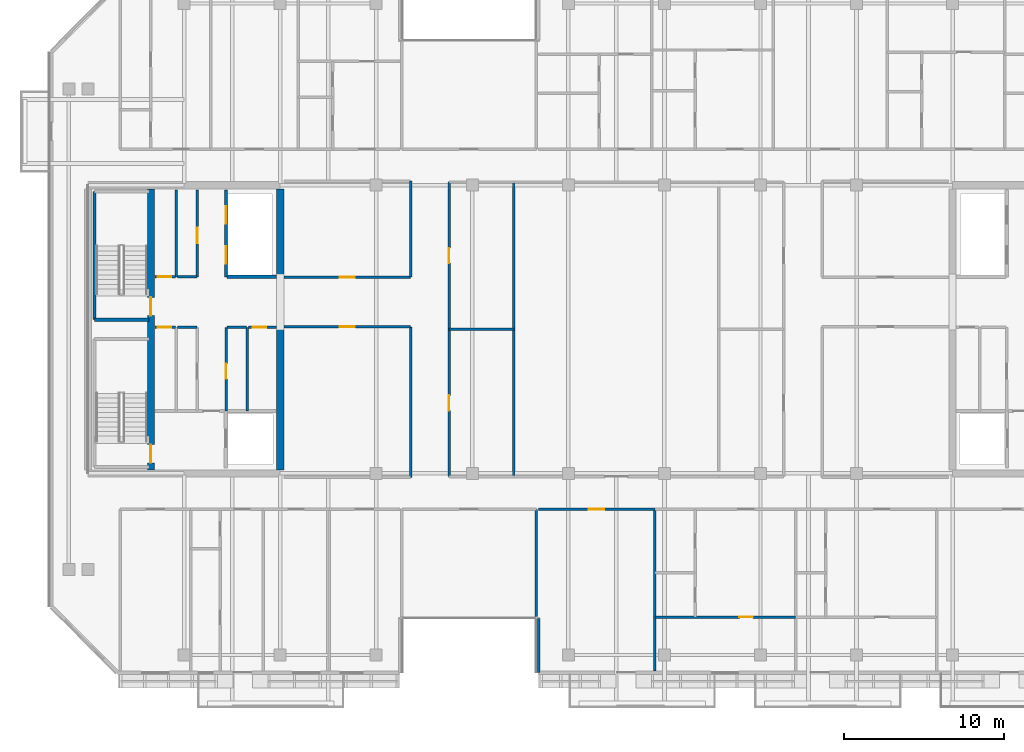
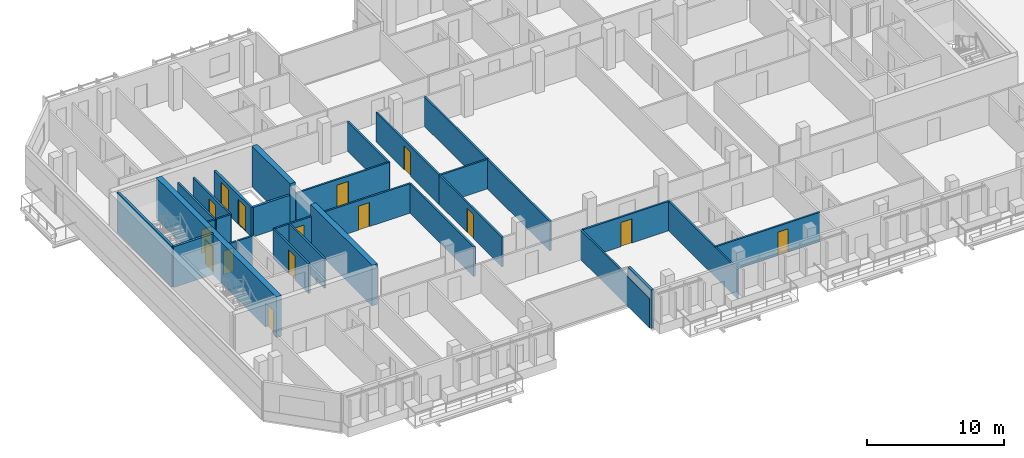
# One storey, part 11 of 23: 30 walls, 15 doors, 15 openings.
"""IFC4 building model written with IfcOpenShell, lengths in metres."""

from ifc_helpers import new_model, si_unit, direction, frame, frame_2d, origin, place, context, subcontext, project, spatial, rectangle, extrude, material, layer, layer_set, type_object, element, fill, save


model = new_model("IFC4")

# Units and contexts
model_context = context("Model", 3, precision=1e-05, world=origin(), true_north=direction((0.0, 1.0)))
body_context = subcontext(model_context, "Body", "Model", "MODEL_VIEW")
ifc_project = project(units=[si_unit("LENGTHUNIT", "METRE"), si_unit("AREAUNIT", "SQUARE_METRE"), si_unit("VOLUMEUNIT", "CUBIC_METRE"), si_unit("PLANEANGLEUNIT", "RADIAN"), si_unit("MASSUNIT", "GRAM", prefix="KILO")], contexts=[model_context])

# Site, building, storey
site_placement = place(None, origin())
site = spatial("IfcSite", under=ifc_project, at=site_placement, CompositionType="ELEMENT")
building_placement = place(site_placement, origin())
building = spatial("IfcBuilding", under=site, at=building_placement, Name="Tanjung Sevakor Pilgrim Tower", CompositionType="ELEMENT")
storey_placement = place(building_placement, frame((0.0, 0.0, 215.489990234375)))
storey = spatial("IfcBuildingStorey", under=building, at=storey_placement, Name="L60", CompositionType="ELEMENT", Elevation=215.489990234375)

# Walls
ifc_material_1 = material(Name="Concrete C60/75", Category="concrete")
ifc_layer_1 = layer(ifc_material_1, 0.449951171875)
ifc_layer_set_1 = layer_set([ifc_layer_1], Name="WALL-CW-450")
wall_type_1 = type_object("IfcWallType", Name="WALL-CW-450", PredefinedType="SHEAR", material=ifc_layer_set_1)
wall_1_placement = place(storey_placement, frame((36.0, 24.824951171875, 0.0), z_axis=(0.0, 0.0, 1.0), x_axis=(0.0, 1.0, 0.0)))
element("IfcWall", 1, at=wall_1_placement, inside=storey, type_object=wall_type_1, Name="L60 W Core Inner Shear Wall South", PredefinedType="SHEAR", context=body_context, shape_type="SweptSolid", body=[
    extrude(rectangle(XDim=8.97509765625, YDim=0.449951171875, at=frame_2d((4.487548828125, 0.0))), origin(), (0.0, 0.0, 1.0), 3.630126953125),
])
wall_2_placement = place(storey_placement, frame((36.0, 36.800048828125, 0.0), z_axis=(0.0, 0.0, 1.0), x_axis=(0.0, 1.0, 0.0)))
element("IfcWall", 2, at=wall_2_placement, inside=storey, type_object=wall_type_1, Name="L60 W Core Inner Shear Wall North", PredefinedType="SHEAR", context=body_context, shape_type="SweptSolid", body=[
    extrude(rectangle(XDim=5.574951171875, YDim=0.449951171875, at=frame_2d((2.78759765625, 0.0))), origin(), (0.0, 0.0, 1.0), 3.630126953125),
])

# Wall, openings, doors
wall_3_placement = place(storey_placement, frame((27.925048828125, 24.824951171875, 0.0), z_axis=(0.0, 0.0, 1.0), x_axis=(0.0, 1.0, 0.0)))
wall_3 = element("IfcWall", 3, at=wall_3_placement, inside=storey, type_object=wall_type_1, Name="L60 W Core Stair Spine Wall", PredefinedType="SHEAR", context=body_context, shape_type="SweptSolid", body=[
    extrude(rectangle(XDim=17.550048828125, YDim=0.449951171875, at=frame_2d((8.77490234375, 0.0))), origin(), (0.0, 0.0, 1.0), 3.630126953125),
])
opening_1_placement = place(wall_3_placement, frame((0.425048828125, 0.0, 0.0)))
opening_1 = element("IfcOpeningElement", 4, at=opening_1_placement, cuts=wall_3, Name="Opening ID-ST1", PredefinedType="OPENING", context=body_context, shape_type="SweptSolid", body=[
    extrude(rectangle(XDim=1.14990234375, YDim=2.14990234375, at=frame_2d((0.574951171875, 1.074951171875))), frame((0.0, 0.23486328125, 0.0), z_axis=(0.0, -1.0, 0.0), x_axis=(1.0, 0.0, 0.0)), (0.0, 0.0, 1.0), 0.469970703125),
])
opening_2_placement = place(wall_3_placement, frame((9.625, 0.0, 0.0)))
opening_2 = element("IfcOpeningElement", 5, at=opening_2_placement, cuts=wall_3, Name="Opening ID-ST1", PredefinedType="OPENING", context=body_context, shape_type="SweptSolid", body=[
    extrude(rectangle(XDim=1.14990234375, YDim=2.14990234375, at=frame_2d((0.574951171875, 1.074951171875))), frame((0.0, 0.23486328125, 0.0), z_axis=(0.0, -1.0, 0.0), x_axis=(1.0, 0.0, 0.0)), (0.0, 0.0, 1.0), 0.469970703125),
])
ifc_material_2 = material(Name="Fire-Rated Steel S355J2", Category="steel")
door_type_1 = type_object("IfcDoorType", Name="DT-FIRE-1150", OperationType="NOTDEFINED", PredefinedType="DOOR", material=ifc_material_2)
door_1_placement = place(opening_1_placement, origin())
door_1 = element("IfcDoor", 6, at=door_1_placement, inside=storey, type_object=door_type_1, Name="L60 TS-W1 Stair Fire Door", OperationType="SINGLE_SWING_RIGHT", OverallHeight=2.14990234375, OverallWidth=1.14990234375, PredefinedType="DOOR", context=body_context, shape_type="SweptSolid", body=[
    extrude(rectangle(XDim=1.14990234375, YDim=2.14990234375, at=frame_2d((0.574951171875, 1.074951171875))), frame((0.0, 0.02490234375, 0.0), z_axis=(0.0, -1.0, 0.0), x_axis=(1.0, 0.0, 0.0)), (0.0, 0.0, 1.0), 0.050048828125),
])
fill(opening_1, door_1)
door_2_placement = place(opening_2_placement, origin())
door_2 = element("IfcDoor", 7, at=door_2_placement, inside=storey, type_object=door_type_1, Name="L60 TS-W2 Stair Fire Door", OperationType="SINGLE_SWING_LEFT", OverallHeight=2.14990234375, OverallWidth=1.14990234375, PredefinedType="DOOR", context=body_context, shape_type="SweptSolid", body=[
    extrude(rectangle(XDim=1.14990234375, YDim=2.14990234375, at=frame_2d((0.574951171875, 1.074951171875))), frame((0.0, 0.02490234375, 0.0), z_axis=(0.0, -1.0, 0.0), x_axis=(1.0, 0.0, 0.0)), (0.0, 0.0, 1.0), 0.050048828125),
])
fill(opening_2, door_2)

# Wall, opening, door
ifc_material_3 = material(Name="Concrete C40/50", Category="concrete")
ifc_layer_2 = layer(ifc_material_3, 0.14990234375)
ifc_layer_set_2 = layer_set([ifc_layer_2], Name="WT-COMP-150")
wall_type_2 = type_object("IfcWallType", Name="WT-COMP-150", PredefinedType="SOLIDWALL", material=ifc_layer_set_2)
wall_4_placement = place(storey_placement, frame((28.169921875, 33.719970703125, 0.0), z_axis=(0.0, 0.0, 1.0), x_axis=(1.0, 0.0, 0.0)))
wall_4 = element("IfcWall", 8, at=wall_4_placement, inside=storey, type_object=wall_type_2, Name="L60 Partition IW-L60-004", PredefinedType="SOLIDWALL", context=body_context, shape_type="SweptSolid", body=[
    extrude(rectangle(XDim=1.280029296875, YDim=0.14990234375, at=frame_2d((0.64013671875, 0.0))), origin(), (0.0, 0.0, 1.0), 2.6298828125),
])
opening_3_placement = place(wall_4_placement, frame((0.179931640625, 0.0, 0.0)))
opening_3 = element("IfcOpeningElement", 9, at=opening_3_placement, cuts=wall_4, Name="Opening ID-FD3", PredefinedType="OPENING", context=body_context, shape_type="SweptSolid", body=[
    extrude(rectangle(XDim=0.85009765625, YDim=2.10009765625, at=frame_2d((0.425048828125, 1.050048828125))), frame((0.0, 0.0849609375, 0.0), z_axis=(0.0, -1.0, 0.0), x_axis=(1.0, 0.0, 0.0)), (0.0, 0.0, 1.0), 0.169921875),
])
ifc_material_4 = material(Name="Fire-Rated Timber", Category="wood")
door_type_2 = type_object("IfcDoorType", Name="DT-FIRE-850", OperationType="NOTDEFINED", PredefinedType="DOOR", material=ifc_material_4)
door_3_placement = place(opening_3_placement, origin())
door_3 = element("IfcDoor", 10, at=door_3_placement, inside=storey, type_object=door_type_2, Name="L60 Cleaner Store Door", OperationType="SINGLE_SWING_RIGHT", OverallHeight=2.10009765625, OverallWidth=0.85009765625, PredefinedType="DOOR", context=body_context, shape_type="SweptSolid", body=[
    extrude(rectangle(XDim=0.85009765625, YDim=2.10009765625, at=frame_2d((0.425048828125, 1.050048828125))), frame((0.0, 0.02490234375, 0.0), z_axis=(0.0, -1.0, 0.0), x_axis=(1.0, 0.0, 0.0)), (0.0, 0.0, 1.0), 0.050048828125),
])
fill(opening_3, door_3)

# Walls
wall_5_placement = place(storey_placement, frame((29.580078125, 33.719970703125, 0.0), z_axis=(0.0, 0.0, 1.0), x_axis=(1.0, 0.0, 0.0)))
element("IfcWall", 11, at=wall_5_placement, inside=storey, type_object=wall_type_2, Name="L60 Partition IW-L60-005", PredefinedType="SOLIDWALL", context=body_context, shape_type="SweptSolid", body=[
    extrude(rectangle(XDim=1.219970703125, YDim=0.14990234375, at=frame_2d((0.60986328125, 0.0))), origin(), (0.0, 0.0, 1.0), 2.6298828125),
])
wall_6_placement = place(storey_placement, frame((33.949951171875, 28.5, 0.0), z_axis=(0.0, 0.0, 1.0), x_axis=(0.0, 1.0, 0.0)))
element("IfcWall", 12, at=wall_6_placement, inside=storey, type_object=wall_type_2, Name="L60 Partition IW-L60-007", PredefinedType="SOLIDWALL", context=body_context, shape_type="SweptSolid", body=[
    extrude(rectangle(XDim=5.219970703125, YDim=0.14990234375, at=frame_2d((2.60986328125, 0.0))), origin(), (0.0, 0.0, 1.0), 2.6298828125),
])
wall_7_placement = place(storey_placement, frame((32.679931640625, 33.719970703125, 0.0), z_axis=(0.0, 0.0, 1.0), x_axis=(1.0, 0.0, 0.0)))
element("IfcWall", 13, at=wall_7_placement, inside=storey, type_object=wall_type_2, Name="L60 Partition IW-L60-008", PredefinedType="SOLIDWALL", context=body_context, shape_type="SweptSolid", body=[
    extrude(rectangle(XDim=1.2099609375, YDim=0.14990234375, at=frame_2d((0.60498046875, 0.0))), origin(), (0.0, 0.0, 1.0), 2.6298828125),
])

# Wall, opening, door
wall_8_placement = place(storey_placement, frame((34.010009765625, 33.719970703125, 0.0), z_axis=(0.0, 0.0, 1.0), x_axis=(1.0, 0.0, 0.0)))
wall_8 = element("IfcWall", 14, at=wall_8_placement, inside=storey, type_object=wall_type_2, Name="L60 Partition IW-L60-009", PredefinedType="SOLIDWALL", context=body_context, shape_type="SweptSolid", body=[
    extrude(rectangle(XDim=1.744873046875, YDim=0.14990234375, at=frame_2d((0.87255859375, 0.0))), origin(), (0.0, 0.0, 1.0), 2.6298828125),
])
opening_4_placement = place(wall_8_placement, frame((0.280029296875, 0.0, 0.0)))
opening_4 = element("IfcOpeningElement", 15, at=opening_4_placement, cuts=wall_8, Name="Opening ID-FD3", PredefinedType="OPENING", context=body_context, shape_type="SweptSolid", body=[
    extrude(rectangle(XDim=0.85009765625, YDim=2.10009765625, at=frame_2d((0.425048828125, 1.050048828125))), frame((0.0, 0.0849609375, 0.0), z_axis=(0.0, -1.0, 0.0), x_axis=(1.0, 0.0, 0.0)), (0.0, 0.0, 1.0), 0.169921875),
])
door_4_placement = place(opening_4_placement, origin())
door_4 = element("IfcDoor", 16, at=door_4_placement, inside=storey, type_object=door_type_2, Name="L60 Service Store Door", OperationType="SINGLE_SWING_RIGHT", OverallHeight=2.10009765625, OverallWidth=0.85009765625, PredefinedType="DOOR", context=body_context, shape_type="SweptSolid", body=[
    extrude(rectangle(XDim=0.85009765625, YDim=2.10009765625, at=frame_2d((0.425048828125, 1.050048828125))), frame((0.0, 0.02490234375, 0.0), z_axis=(0.0, -1.0, 0.0), x_axis=(1.0, 0.0, 0.0)), (0.0, 0.0, 1.0), 0.050048828125),
])
fill(opening_4, door_4)

wall_9_placement = place(storey_placement, frame((32.6201171875, 28.5, 0.0), z_axis=(0.0, 0.0, 1.0), x_axis=(0.0, 1.0, 0.0)))
wall_9 = element("IfcWall", 17, at=wall_9_placement, inside=storey, type_object=wall_type_2, Name="L60 Partition IW-L60-010", PredefinedType="SOLIDWALL", context=body_context, shape_type="SweptSolid", body=[
    extrude(rectangle(XDim=5.219970703125, YDim=0.14990234375, at=frame_2d((2.60986328125, 0.0))), origin(), (0.0, 0.0, 1.0), 2.6298828125),
])
opening_5_placement = place(wall_9_placement, frame((2.0, 0.0, 0.0)))
opening_5 = element("IfcOpeningElement", 18, at=opening_5_placement, cuts=wall_9, Name="Opening ID-FD2", PredefinedType="OPENING", context=body_context, shape_type="SweptSolid", body=[
    extrude(rectangle(XDim=0.949951171875, YDim=2.14990234375, at=frame_2d((0.47509765625, 1.074951171875))), frame((0.0, 0.0849609375, 0.0), z_axis=(0.0, -1.0, 0.0), x_axis=(1.0, 0.0, 0.0)), (0.0, 0.0, 1.0), 0.169921875),
])
ifc_material_5 = material(Name="Fire-Rated Timber", Category="wood")
door_type_3 = type_object("IfcDoorType", Name="DT-FIRE-950", OperationType="NOTDEFINED", PredefinedType="DOOR", material=ifc_material_5)
door_5_placement = place(opening_5_placement, origin())
door_5 = element("IfcDoor", 19, at=door_5_placement, inside=storey, type_object=door_type_3, Name="L60 Accessible WC Door", OperationType="SINGLE_SWING_LEFT", OverallHeight=2.14990234375, OverallWidth=0.949951171875, PredefinedType="DOOR", context=body_context, shape_type="SweptSolid", body=[
    extrude(rectangle(XDim=0.949951171875, YDim=2.14990234375, at=frame_2d((0.47509765625, 1.074951171875))), frame((0.0, 0.02490234375, 0.0), z_axis=(0.0, -1.0, 0.0), x_axis=(1.0, 0.0, 0.0)), (0.0, 0.0, 1.0), 0.050048828125),
])
fill(opening_5, door_5)

# Wall
wall_10_placement = place(storey_placement, frame((29.52001953125, 36.8798828125, 0.0), z_axis=(0.0, 0.0, 1.0), x_axis=(0.0, 1.0, 0.0)))
element("IfcWall", 20, at=wall_10_placement, inside=storey, type_object=wall_type_2, Name="L60 Partition IW-L60-011", PredefinedType="SOLIDWALL", context=body_context, shape_type="SweptSolid", body=[
    extrude(rectangle(XDim=5.420166015625, YDim=0.14990234375, at=frame_2d((2.7099609375, 0.0))), origin(), (0.0, 0.0, 1.0), 2.6298828125),
])

# Wall, opening, door
wall_11_placement = place(storey_placement, frame((28.169921875, 36.8798828125, 0.0), z_axis=(0.0, 0.0, 1.0), x_axis=(1.0, 0.0, 0.0)))
wall_11 = element("IfcWall", 21, at=wall_11_placement, inside=storey, type_object=wall_type_2, Name="L60 Partition IW-L60-012", PredefinedType="SOLIDWALL", context=body_context, shape_type="SweptSolid", body=[
    extrude(rectangle(XDim=1.280029296875, YDim=0.14990234375, at=frame_2d((0.64013671875, 0.0))), origin(), (0.0, 0.0, 1.0), 2.6298828125),
])
opening_6_placement = place(wall_11_placement, frame((0.179931640625, 0.0, 0.0)))
opening_6 = element("IfcOpeningElement", 22, at=opening_6_placement, cuts=wall_11, Name="Opening ID-FD3", PredefinedType="OPENING", context=body_context, shape_type="SweptSolid", body=[
    extrude(rectangle(XDim=0.85009765625, YDim=2.10009765625, at=frame_2d((0.425048828125, 1.050048828125))), frame((0.0, 0.0849609375, 0.0), z_axis=(0.0, -1.0, 0.0), x_axis=(1.0, 0.0, 0.0)), (0.0, 0.0, 1.0), 0.169921875),
])
door_6_placement = place(opening_6_placement, origin())
door_6 = element("IfcDoor", 23, at=door_6_placement, inside=storey, type_object=door_type_2, Name="L60 Service Store Door", OperationType="SINGLE_SWING_RIGHT", OverallHeight=2.10009765625, OverallWidth=0.85009765625, PredefinedType="DOOR", context=body_context, shape_type="SweptSolid", body=[
    extrude(rectangle(XDim=0.85009765625, YDim=2.10009765625, at=frame_2d((0.425048828125, 1.050048828125))), frame((0.0, 0.02490234375, 0.0), z_axis=(0.0, -1.0, 0.0), x_axis=(1.0, 0.0, 0.0)), (0.0, 0.0, 1.0), 0.050048828125),
])
fill(opening_6, door_6)

# Wall
wall_12_placement = place(storey_placement, frame((29.580078125, 36.8798828125, 0.0), z_axis=(0.0, 0.0, 1.0), x_axis=(1.0, 0.0, 0.0)))
element("IfcWall", 24, at=wall_12_placement, inside=storey, type_object=wall_type_2, Name="L60 Partition IW-L60-013", PredefinedType="SOLIDWALL", context=body_context, shape_type="SweptSolid", body=[
    extrude(rectangle(XDim=1.219970703125, YDim=0.14990234375, at=frame_2d((0.60986328125, 0.0))), origin(), (0.0, 0.0, 1.0), 2.6298828125),
])

# Wall, opening, door
wall_13_placement = place(storey_placement, frame((30.820068359375, 36.8798828125, 0.0), z_axis=(0.0, 0.0, 1.0), x_axis=(0.0, 1.0, 0.0)))
wall_13 = element("IfcWall", 25, at=wall_13_placement, inside=storey, type_object=wall_type_2, Name="L60 Partition IW-L60-014", PredefinedType="SOLIDWALL", context=body_context, shape_type="SweptSolid", body=[
    extrude(rectangle(XDim=5.420166015625, YDim=0.14990234375, at=frame_2d((2.7099609375, 0.0))), origin(), (0.0, 0.0, 1.0), 2.6298828125),
])
opening_7_placement = place(wall_13_placement, frame((2.10009765625, 0.0, 0.0)))
opening_7 = element("IfcOpeningElement", 26, at=opening_7_placement, cuts=wall_13, Name="Opening ID-FD2", PredefinedType="OPENING", context=body_context, shape_type="SweptSolid", body=[
    extrude(rectangle(XDim=0.949951171875, YDim=2.14990234375, at=frame_2d((0.47509765625, 1.074951171875))), frame((0.0, 0.0849609375, 0.0), z_axis=(0.0, -1.0, 0.0), x_axis=(1.0, 0.0, 0.0)), (0.0, 0.0, 1.0), 0.169921875),
])
door_7_placement = place(opening_7_placement, origin())
door_7 = element("IfcDoor", 27, at=door_7_placement, inside=storey, type_object=door_type_3, Name="L60 Core Reading Room Door", OperationType="SINGLE_SWING_LEFT", OverallHeight=2.14990234375, OverallWidth=0.949951171875, PredefinedType="DOOR", context=body_context, shape_type="SweptSolid", body=[
    extrude(rectangle(XDim=0.949951171875, YDim=2.14990234375, at=frame_2d((0.47509765625, 1.074951171875))), frame((0.0, 0.02490234375, 0.0), z_axis=(0.0, -1.0, 0.0), x_axis=(1.0, 0.0, 0.0)), (0.0, 0.0, 1.0), 0.050048828125),
])
fill(opening_7, door_7)

wall_14_placement = place(storey_placement, frame((36.2451171875, 33.75, 0.0), z_axis=(0.0, 0.0, 1.0), x_axis=(1.0, 0.0, 0.0)))
wall_14 = element("IfcWall", 28, at=wall_14_placement, inside=storey, type_object=wall_type_2, Name="L60 Partition IW-L60-034", PredefinedType="SOLIDWALL", context=body_context, shape_type="SweptSolid", body=[
    extrude(rectangle(XDim=7.90478515625, YDim=0.14990234375, at=frame_2d((3.952392578125, 0.0))), origin(), (0.0, 0.0, 1.0), 2.6298828125),
])
opening_8_placement = place(wall_14_placement, frame((3.4775390625, 0.0, 0.0)))
opening_8 = element("IfcOpeningElement", 29, at=opening_8_placement, cuts=wall_14, Name="Opening ID-RM1", PredefinedType="OPENING", context=body_context, shape_type="SweptSolid", body=[
    extrude(rectangle(XDim=0.949951171875, YDim=2.14990234375, at=frame_2d((0.47509765625, 1.074951171875))), frame((0.0, 0.0849609375, 0.0), z_axis=(0.0, -1.0, 0.0), x_axis=(1.0, 0.0, 0.0)), (0.0, 0.0, 1.0), 0.169921875),
])
ifc_material_6 = material(Name="Hardwood Timber", Category="wood")
door_type_4 = type_object("IfcDoorType", Name="DT-INT-950", OperationType="NOTDEFINED", PredefinedType="DOOR", material=ifc_material_6)
door_8_placement = place(opening_8_placement, origin())
door_8 = element("IfcDoor", 30, at=door_8_placement, inside=storey, type_object=door_type_4, Name="L60 West Inboard South Door", OperationType="SINGLE_SWING_RIGHT", OverallHeight=2.14990234375, OverallWidth=0.949951171875, PredefinedType="DOOR", context=body_context, shape_type="SweptSolid", body=[
    extrude(rectangle(XDim=0.949951171875, YDim=2.14990234375, at=frame_2d((0.47509765625, 1.074951171875))), frame((0.0, 0.02490234375, 0.0), z_axis=(0.0, -1.0, 0.0), x_axis=(1.0, 0.0, 0.0)), (0.0, 0.0, 1.0), 0.050048828125),
])
fill(opening_8, door_8)

# Wall
wall_15_placement = place(storey_placement, frame((44.14990234375, 24.35009765625, 0.0), z_axis=(0.0, 0.0, 1.0), x_axis=(0.0, 1.0, 0.0)))
element("IfcWall", 31, at=wall_15_placement, inside=storey, type_object=wall_type_2, Name="L60 Partition IW-L60-035", PredefinedType="SOLIDWALL", context=body_context, shape_type="SweptSolid", body=[
    extrude(rectangle(XDim=9.39990234375, YDim=0.14990234375, at=frame_2d((4.699951171875, 0.0))), origin(), (0.0, 0.0, 1.0), 2.6298828125),
])

# Wall, opening, door
wall_16_placement = place(storey_placement, frame((36.2451171875, 36.85009765625, 0.0), z_axis=(0.0, 0.0, 1.0), x_axis=(1.0, 0.0, 0.0)))
wall_16 = element("IfcWall", 32, at=wall_16_placement, inside=storey, type_object=wall_type_2, Name="L60 Partition IW-L60-036", PredefinedType="SOLIDWALL", context=body_context, shape_type="SweptSolid", body=[
    extrude(rectangle(XDim=7.90478515625, YDim=0.14990234375, at=frame_2d((3.952392578125, 0.0))), origin(), (0.0, 0.0, 1.0), 2.6298828125),
])
opening_9_placement = place(wall_16_placement, frame((3.4775390625, 0.0, 0.0)))
opening_9 = element("IfcOpeningElement", 33, at=opening_9_placement, cuts=wall_16, Name="Opening ID-RM1", PredefinedType="OPENING", context=body_context, shape_type="SweptSolid", body=[
    extrude(rectangle(XDim=0.949951171875, YDim=2.14990234375, at=frame_2d((0.47509765625, 1.074951171875))), frame((0.0, 0.0849609375, 0.0), z_axis=(0.0, -1.0, 0.0), x_axis=(1.0, 0.0, 0.0)), (0.0, 0.0, 1.0), 0.169921875),
])
door_9_placement = place(opening_9_placement, origin())
door_9 = element("IfcDoor", 34, at=door_9_placement, inside=storey, type_object=door_type_4, Name="L60 West Inboard North Door", OperationType="SINGLE_SWING_LEFT", OverallHeight=2.14990234375, OverallWidth=0.949951171875, PredefinedType="DOOR", context=body_context, shape_type="SweptSolid", body=[
    extrude(rectangle(XDim=0.949951171875, YDim=2.14990234375, at=frame_2d((0.47509765625, 1.074951171875))), frame((0.0, 0.02490234375, 0.0), z_axis=(0.0, -1.0, 0.0), x_axis=(1.0, 0.0, 0.0)), (0.0, 0.0, 1.0), 0.050048828125),
])
fill(opening_9, door_9)

# Walls
wall_17_placement = place(storey_placement, frame((44.14990234375, 36.85009765625, 0.0), z_axis=(0.0, 0.0, 1.0), x_axis=(0.0, 1.0, 0.0)))
element("IfcWall", 35, at=wall_17_placement, inside=storey, type_object=wall_type_2, Name="L60 Partition IW-L60-038", PredefinedType="SOLIDWALL", context=body_context, shape_type="SweptSolid", body=[
    extrude(rectangle(XDim=6.0, YDim=0.14990234375, at=frame_2d((3.0, 0.0))), origin(), (0.0, 0.0, 1.0), 2.6298828125),
])
wall_18_placement = place(storey_placement, frame((46.550048828125, 33.60009765625, 0.0), z_axis=(0.0, 0.0, 1.0), x_axis=(1.0, 0.0, 0.0)))
element("IfcWall", 36, at=wall_18_placement, inside=storey, type_object=wall_type_2, Name="L60 Partition IW-L60-046", PredefinedType="SOLIDWALL", context=body_context, shape_type="SweptSolid", body=[
    extrude(rectangle(XDim=4.050048828125, YDim=0.14990234375, at=frame_2d((2.02490234375, 0.0))), origin(), (0.0, 0.0, 1.0), 2.6298828125),
])

# Wall, opening, door
wall_19_placement = place(storey_placement, frame((46.550048828125, 24.39990234375, 0.0), z_axis=(0.0, 0.0, 1.0), x_axis=(0.0, 1.0, 0.0)))
wall_19 = element("IfcWall", 37, at=wall_19_placement, inside=storey, type_object=wall_type_2, Name="L60 Partition IW-L60-047", PredefinedType="SOLIDWALL", context=body_context, shape_type="SweptSolid", body=[
    extrude(rectangle(XDim=9.2001953125, YDim=0.14990234375, at=frame_2d((4.60009765625, 0.0))), origin(), (0.0, 0.0, 1.0), 2.6298828125),
])
opening_10_placement = place(wall_19_placement, frame((4.125, 0.0, 0.0)))
opening_10 = element("IfcOpeningElement", 38, at=opening_10_placement, cuts=wall_19, Name="Opening ID-RM1", PredefinedType="OPENING", context=body_context, shape_type="SweptSolid", body=[
    extrude(rectangle(XDim=0.949951171875, YDim=2.14990234375, at=frame_2d((0.47509765625, 1.074951171875))), frame((0.0, 0.0849609375, 0.0), z_axis=(0.0, -1.0, 0.0), x_axis=(1.0, 0.0, 0.0)), (0.0, 0.0, 1.0), 0.169921875),
])
door_10_placement = place(opening_10_placement, origin())
door_10 = element("IfcDoor", 39, at=door_10_placement, inside=storey, type_object=door_type_4, Name="L60 Male Ablution Door", OperationType="SINGLE_SWING_RIGHT", OverallHeight=2.14990234375, OverallWidth=0.949951171875, PredefinedType="DOOR", context=body_context, shape_type="SweptSolid", body=[
    extrude(rectangle(XDim=0.949951171875, YDim=2.14990234375, at=frame_2d((0.47509765625, 1.074951171875))), frame((0.0, 0.02490234375, 0.0), z_axis=(0.0, -1.0, 0.0), x_axis=(1.0, 0.0, 0.0)), (0.0, 0.0, 1.0), 0.050048828125),
])
fill(opening_10, door_10)

wall_20_placement = place(storey_placement, frame((46.550048828125, 33.60009765625, 0.0), z_axis=(0.0, 0.0, 1.0), x_axis=(0.0, 1.0, 0.0)))
wall_20 = element("IfcWall", 40, at=wall_20_placement, inside=storey, type_object=wall_type_2, Name="L60 Partition IW-L60-049", PredefinedType="SOLIDWALL", context=body_context, shape_type="SweptSolid", body=[
    extrude(rectangle(XDim=9.199951171875, YDim=0.14990234375, at=frame_2d((4.60009765625, 0.0))), origin(), (0.0, 0.0, 1.0), 2.6298828125),
])
opening_11_placement = place(wall_20_placement, frame((4.125, 0.0, 0.0)))
opening_11 = element("IfcOpeningElement", 41, at=opening_11_placement, cuts=wall_20, Name="Opening ID-RM1", PredefinedType="OPENING", context=body_context, shape_type="SweptSolid", body=[
    extrude(rectangle(XDim=0.949951171875, YDim=2.14990234375, at=frame_2d((0.47509765625, 1.074951171875))), frame((0.0, 0.0849609375, 0.0), z_axis=(0.0, -1.0, 0.0), x_axis=(1.0, 0.0, 0.0)), (0.0, 0.0, 1.0), 0.169921875),
])
door_11_placement = place(opening_11_placement, origin())
door_11 = element("IfcDoor", 42, at=door_11_placement, inside=storey, type_object=door_type_4, Name="L60 Male Washroom Door", OperationType="SINGLE_SWING_LEFT", OverallHeight=2.14990234375, OverallWidth=0.949951171875, PredefinedType="DOOR", context=body_context, shape_type="SweptSolid", body=[
    extrude(rectangle(XDim=0.949951171875, YDim=2.14990234375, at=frame_2d((0.47509765625, 1.074951171875))), frame((0.0, 0.02490234375, 0.0), z_axis=(0.0, -1.0, 0.0), x_axis=(1.0, 0.0, 0.0)), (0.0, 0.0, 1.0), 0.050048828125),
])
fill(opening_11, door_11)

# Walls
wall_21_placement = place(storey_placement, frame((50.60009765625, 24.39990234375, 0.0), z_axis=(0.0, 0.0, 1.0), x_axis=(0.0, 1.0, 0.0)))
element("IfcWall", 43, at=wall_21_placement, inside=storey, type_object=wall_type_2, Name="L60 Partition IW-L60-052", PredefinedType="SOLIDWALL", context=body_context, shape_type="SweptSolid", body=[
    extrude(rectangle(XDim=18.400146484375, YDim=0.14990234375, at=frame_2d((9.2001953125, 0.0))), origin(), (0.0, 0.0, 1.0), 2.6298828125),
])
for number, where, z_axis, x_axis, name in (
    (44, (52.0, 12.27001953125, 0.0), (0.0, 0.0, 1.0), (0.0, 1.0, 0.0), "L60 Partition IW-L60-061"),
    (45, (59.401123046875, 12.27001953125, 0.0), (0.0, 0.0, 1.0), (0.0, 1.0, 0.0), "L60 Partition IW-L60-076"),
):
    element("IfcWall", number, at=place(storey_placement, frame(where, z_axis=z_axis, x_axis=x_axis)), inside=storey, type_object=wall_type_2, Name=name, PredefinedType="SOLIDWALL", context=body_context, shape_type="SweptSolid", body=[
        extrude(rectangle(XDim=10.080078125, YDim=0.14990234375, at=frame_2d((5.0400390625, 0.0))), origin(), (0.0, 0.0, 1.0), 2.6298828125),
    ])

# Wall, opening, door
wall_22_placement = place(storey_placement, frame((52.1201171875, 22.35009765625, 0.0), z_axis=(0.0, 0.0, 1.0), x_axis=(1.0, 0.0, 0.0)))
wall_22 = element("IfcWall", 46, at=wall_22_placement, inside=storey, type_object=wall_type_2, Name="L60 Partition IW-L60-077", PredefinedType="SOLIDWALL", context=body_context, shape_type="SweptSolid", body=[
    extrude(rectangle(XDim=7.281005859375, YDim=0.14990234375, at=frame_2d((3.640625, 0.0))), origin(), (0.0, 0.0, 1.0), 2.6298828125),
])
opening_12_placement = place(wall_22_placement, frame((3.16552734375, 0.0, 0.0)))
opening_12 = element("IfcOpeningElement", 47, at=opening_12_placement, cuts=wall_22, Name="Opening ID-FD2", PredefinedType="OPENING", context=body_context, shape_type="SweptSolid", body=[
    extrude(rectangle(XDim=0.949951171875, YDim=2.14990234375, at=frame_2d((0.47509765625, 1.074951171875))), frame((0.0, 0.0849609375, 0.0), z_axis=(0.0, -1.0, 0.0), x_axis=(1.0, 0.0, 0.0)), (0.0, 0.0, 1.0), 0.169921875),
])
door_12_placement = place(opening_12_placement, origin())
door_12 = element("IfcDoor", 48, at=door_12_placement, inside=storey, type_object=door_type_3, Name="Housekeeping Pantry Door", OperationType="SINGLE_SWING_LEFT", OverallHeight=2.14990234375, OverallWidth=0.949951171875, PredefinedType="DOOR", context=body_context, shape_type="SweptSolid", body=[
    extrude(rectangle(XDim=0.949951171875, YDim=2.14990234375, at=frame_2d((0.47509765625, 1.074951171875))), frame((0.0, 0.02490234375, 0.0), z_axis=(0.0, -1.0, 0.0), x_axis=(1.0, 0.0, 0.0)), (0.0, 0.0, 1.0), 0.050048828125),
])
fill(opening_12, door_12)

# Walls
ifc_material_7 = material(Name="Precast concrete C45/55", Category="concrete")
ifc_layer_3 = layer(ifc_material_7, 0.219970703125)
ifc_layer_set_3 = layer_set([ifc_layer_3], Name="WT-EW-STN4")
wall_type_3 = type_object("IfcWallType", Name="WT-EW-STN4", PredefinedType="SOLIDWALL", material=ifc_layer_set_3)
wall_23_placement = place(storey_placement, frame((52.110107421875, 15.56005859375, 0.0), z_axis=(0.0, 0.0, 1.0), x_axis=(0.0, -1.0, 0.0)))
element("IfcWall", 49, at=wall_23_placement, inside=storey, type_object=wall_type_3, Name="L60 MAIN Exterior Wall 4", PredefinedType="SOLIDWALL", context=body_context, shape_type="SweptSolid", body=[
    extrude(rectangle(XDim=3.400146484375, YDim=0.219970703125, at=frame_2d((1.7001953125, 0.0))), origin(), (0.0, 0.0, 1.0), 3.409912109375),
])
ifc_material_8 = material(Name="Concrete C40/50", Category="concrete")
ifc_layer_4 = layer(ifc_material_8, 0.199951171875)
ifc_layer_set_4 = layer_set([ifc_layer_4], Name="WT-FIRE-200")
wall_type_4 = type_object("IfcWallType", Name="WT-FIRE-200", PredefinedType="SOLIDWALL", material=ifc_layer_set_4)
wall_24_placement = place(storey_placement, frame((24.39990234375, 34.199951171875, 0.0), z_axis=(0.0, 0.0, 1.0), x_axis=(1.0, 0.0, 0.0)))
element("IfcWall", 50, at=wall_24_placement, inside=storey, type_object=wall_type_4, Name="L60 TS-W2 Shaft Wall 1", PredefinedType="SOLIDWALL", context=body_context, shape_type="SweptSolid", body=[
    extrude(rectangle(XDim=3.400146484375, YDim=0.199951171875, at=frame_2d((1.7001953125, 0.0))), origin(), (0.0, 0.0, 1.0), 3.630126953125),
])
wall_25_placement = place(storey_placement, frame((24.39990234375, 42.199951171875, 0.0), z_axis=(0.0, 0.0, 1.0), x_axis=(0.0, -1.0, 0.0)))
element("IfcWall", 51, at=wall_25_placement, inside=storey, type_object=wall_type_4, Name="L60 TS-W2 Shaft Wall 3", PredefinedType="SOLIDWALL", context=body_context, shape_type="SweptSolid", body=[
    extrude(rectangle(XDim=8.0, YDim=0.199951171875, at=frame_2d((4.0, 0.0))), origin(), (0.0, 0.0, 1.0), 3.630126953125),
])
ifc_material_9 = material(Name="Concrete C40/50", Category="concrete")
ifc_layer_5 = layer(ifc_material_9, 0.199951171875)
ifc_layer_set_5 = layer_set([ifc_layer_5], Name="WT-FPRT-200")
wall_type_5 = type_object("IfcWallType", Name="WT-FPRT-200", PredefinedType="SOLIDWALL", material=ifc_layer_set_5)
wall_26_placement = place(storey_placement, frame((32.679931640625, 36.8798828125, 0.0), z_axis=(0.0, 0.0, 1.0), x_axis=(1.0, 0.0, 0.0)))
element("IfcWall", 52, at=wall_26_placement, inside=storey, type_object=wall_type_5, Name="L60 Partition IW-L60-015", PredefinedType="SOLIDWALL", context=body_context, shape_type="SweptSolid", body=[
    extrude(rectangle(XDim=3.074951171875, YDim=0.199951171875, at=frame_2d((1.53759765625, 0.0))), origin(), (0.0, 0.0, 1.0), 2.6298828125),
])

# Wall, openings, doors
wall_27_placement = place(storey_placement, frame((32.6201171875, 36.8798828125, 0.0), z_axis=(0.0, 0.0, 1.0), x_axis=(0.0, 1.0, 0.0)))
wall_27 = element("IfcWall", 53, at=wall_27_placement, inside=storey, type_object=wall_type_5, Name="L60 Partition IW-L60-016", PredefinedType="SOLIDWALL", context=body_context, shape_type="SweptSolid", body=[
    extrude(rectangle(XDim=5.420166015625, YDim=0.199951171875, at=frame_2d((2.7099609375, 0.0))), origin(), (0.0, 0.0, 1.0), 2.6298828125),
])
opening_13_placement = place(wall_27_placement, frame((0.800048828125, 0.0, 0.0)))
opening_13 = element("IfcOpeningElement", 54, at=opening_13_placement, cuts=wall_27, Name="Opening LD-1100", PredefinedType="OPENING", context=body_context, shape_type="SweptSolid", body=[
    extrude(rectangle(XDim=1.10009765625, YDim=2.199951171875, at=frame_2d((0.550048828125, 1.10009765625))), frame((0.0, 0.10986328125, 0.0), z_axis=(0.0, -1.0, 0.0), x_axis=(1.0, 0.0, 0.0)), (0.0, 0.0, 1.0), 0.219970703125),
])
opening_14_placement = place(wall_27_placement, frame((3.300048828125, 0.0, 0.0)))
opening_14 = element("IfcOpeningElement", 55, at=opening_14_placement, cuts=wall_27, Name="Opening LD-1100", PredefinedType="OPENING", context=body_context, shape_type="SweptSolid", body=[
    extrude(rectangle(XDim=1.10009765625, YDim=2.199951171875, at=frame_2d((0.550048828125, 1.10009765625))), frame((0.0, 0.10986328125, 0.0), z_axis=(0.0, -1.0, 0.0), x_axis=(1.0, 0.0, 0.0)), (0.0, 0.0, 1.0), 0.219970703125),
])
ifc_material_10 = material(Name="Brushed Stainless Steel S355J2", Category="steel")
door_type_5 = type_object("IfcDoorType", Name="DT-LIFT-1100", OperationType="SLIDING_TO_LEFT", PredefinedType="DOOR", material=ifc_material_10)
door_13_placement = place(opening_13_placement, origin())
door_13 = element("IfcDoor", 56, at=door_13_placement, inside=storey, type_object=door_type_5, Name="LD-PLH1-W", OperationType="SLIDING_TO_LEFT", OverallHeight=2.199951171875, OverallWidth=1.10009765625, PredefinedType="DOOR", context=body_context, shape_type="SweptSolid", body=[
    extrude(rectangle(XDim=1.10009765625, YDim=2.199951171875, at=frame_2d((0.550048828125, 1.10009765625))), frame((0.0, 0.02490234375, 0.0), z_axis=(0.0, -1.0, 0.0), x_axis=(1.0, 0.0, 0.0)), (0.0, 0.0, 1.0), 0.050048828125),
])
fill(opening_13, door_13)
door_14_placement = place(opening_14_placement, origin())
door_14 = element("IfcDoor", 57, at=door_14_placement, inside=storey, type_object=door_type_5, Name="LD-PLH2-W", OperationType="SLIDING_TO_RIGHT", OverallHeight=2.199951171875, OverallWidth=1.10009765625, PredefinedType="DOOR", context=body_context, shape_type="SweptSolid", body=[
    extrude(rectangle(XDim=1.10009765625, YDim=2.199951171875, at=frame_2d((0.550048828125, 1.10009765625))), frame((0.0, 0.02490234375, 0.0), z_axis=(0.0, -1.0, 0.0), x_axis=(1.0, 0.0, 0.0)), (0.0, 0.0, 1.0), 0.050048828125),
])
fill(opening_14, door_14)

# Wall, opening, door
ifc_material_11 = material(Name="Gypsum Board Partition", Category="gypsum board")
ifc_layer_6 = layer(ifc_material_11, 0.14990234375)
ifc_layer_set_6 = layer_set([ifc_layer_6], Name="WT-PART-150")
wall_type_6 = type_object("IfcWallType", Name="WT-PART-150", PredefinedType="PARTITIONING", material=ifc_layer_set_6)
wall_28_placement = place(storey_placement, frame((59.401123046875, 15.623046875, 0.0), z_axis=(0.0, 0.0, 1.0), x_axis=(1.0, 0.0, 0.0)))
wall_28 = element("IfcWall", 58, at=wall_28_placement, inside=storey, type_object=wall_type_6, Name="L60 Partition IW-L60-081", PredefinedType="PARTITIONING", context=body_context, shape_type="SweptSolid", body=[
    extrude(rectangle(XDim=8.798095703125, YDim=0.14990234375, at=frame_2d((4.39892578125, 0.0))), origin(), (0.0, 0.0, 1.0), 2.6298828125),
])
opening_15_placement = place(wall_28_placement, frame((5.2734375, 0.0, 0.0)))
opening_15 = element("IfcOpeningElement", 59, at=opening_15_placement, cuts=wall_28, Name="Opening ID-WC1", PredefinedType="OPENING", context=body_context, shape_type="SweptSolid", body=[
    extrude(rectangle(XDim=0.85009765625, YDim=2.10009765625, at=frame_2d((0.425048828125, 1.050048828125))), frame((0.0, 0.0849609375, 0.0), z_axis=(0.0, -1.0, 0.0), x_axis=(1.0, 0.0, 0.0)), (0.0, 0.0, 1.0), 0.169921875),
])
ifc_material_12 = material(Name="Moisture-Resistant Timber", Category="wood")
door_type_6 = type_object("IfcDoorType", Name="DT-INT-850", OperationType="NOTDEFINED", PredefinedType="DOOR", material=ifc_material_12)
door_15_placement = place(opening_15_placement, origin())
door_15 = element("IfcDoor", 60, at=door_15_placement, inside=storey, type_object=door_type_6, Name="Residence Bedroom Door", OperationType="SINGLE_SWING_RIGHT", OverallHeight=2.10009765625, OverallWidth=0.85009765625, PredefinedType="DOOR", context=body_context, shape_type="SweptSolid", body=[
    extrude(rectangle(XDim=0.85009765625, YDim=2.10009765625, at=frame_2d((0.425048828125, 1.050048828125))), frame((0.0, 0.02490234375, 0.0), z_axis=(0.0, -1.0, 0.0), x_axis=(1.0, 0.0, 0.0)), (0.0, 0.0, 1.0), 0.050048828125),
])
fill(opening_15, door_15)

save(model, "model.ifc")
